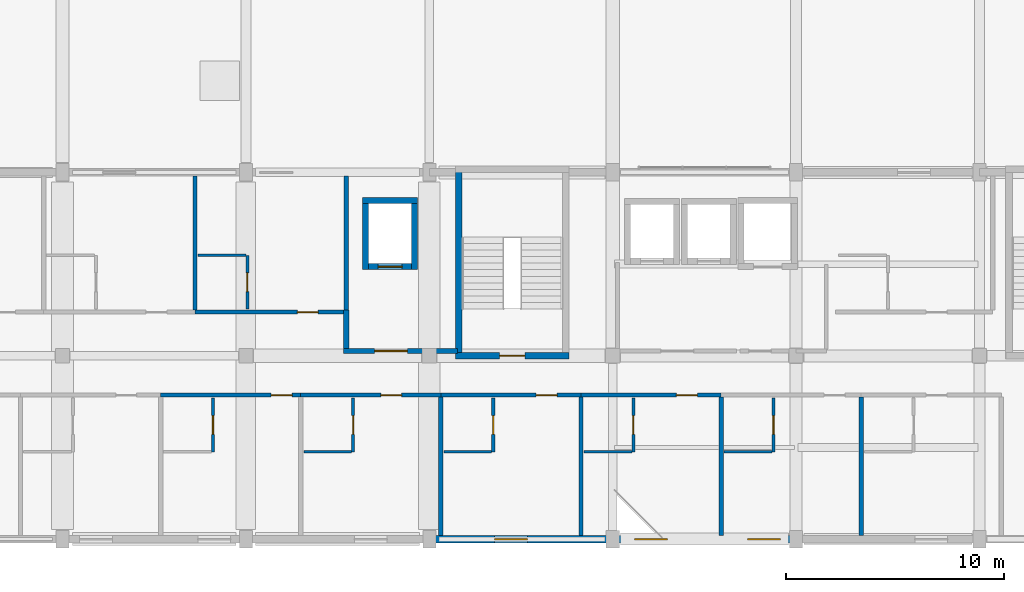
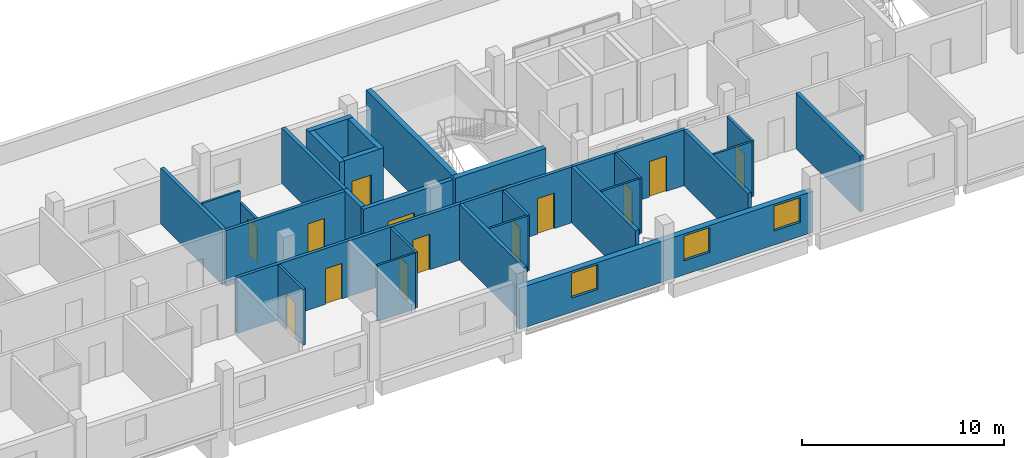
# One storey, part 32 of 42: 31 walls, 14 doors, 3 windows, 17 openings.
"""IFC4 building model written with IfcOpenShell, lengths in metres."""

import ifcopenshell
import ifcopenshell.guid

model = None  # the IFC model being written
_history = None  # IfcOwnerHistory: only IFC2X3 demands one
_inside = {}  # id of a spatial element -> (the spatial element, [elements in it])
_under = {}  # id of a project, library or spatial element -> (it, [spatial elements below it])
_declared = {}  # id of a project -> (the project, [libraries it declares])
_typed = {}  # id of a type object -> (the type object, [elements of that type])
_made_of = {}  # id of a material, layer set ... -> (it, [elements and type objects made of it])


def new_model(schema):
    """Start an empty IFC model of exactly this schema.

    Asked for "IFC4X3", IfcOpenShell would pick the latest addendum, in which some entities
    have other attributes; the version numbers below select the first issue.
    IFC2X3 requires an IfcOwnerHistory on every rooted entity: one is made here for all.
    """
    global model, _history
    if schema == "IFC4X3":
        model = ifcopenshell.file(schema_version=(4, 3, 0, 0))
    else:
        model = ifcopenshell.file(schema=schema)
    _inside.clear()
    _under.clear()
    _declared.clear()
    _typed.clear()
    _made_of.clear()
    _history = None
    if model.schema == "IFC2X3":
        org = make("IfcOrganization", Name="unknown")
        user = make(
            "IfcPersonAndOrganization",
            ThePerson=make("IfcPerson", FamilyName="unknown"),
            TheOrganization=org,
        )
        app = make(
            "IfcApplication",
            ApplicationDeveloper=org,
            Version="unknown",
            ApplicationFullName="unknown",
            ApplicationIdentifier="unknown",
        )
        _history = make(
            "IfcOwnerHistory",
            OwningUser=user,
            OwningApplication=app,
            ChangeAction="ADDED",
            CreationDate=0,
        )
    return model


def make(cls, **values):
    """One entity of the class cls with the attributes given. An attribute that is None is left unset."""
    return model.create_entity(
        cls, **{name: value for name, value in values.items() if value is not None}
    )


def rooted(cls, **values):
    """An entity with a GlobalId (a new one), such as an element, a storey or a relation."""
    return make(cls, GlobalId=ifcopenshell.guid.new(), OwnerHistory=_history, **values)


def si_unit(unit_type, name, prefix=None):
    """IfcSIUnit, for example si_unit("LENGTHUNIT", "METRE", prefix="MILLI")."""
    return make("IfcSIUnit", UnitType=unit_type, Prefix=prefix, Name=name)


def derived_unit(unit_type, elements):
    """IfcDerivedUnit: a product of units, each with its exponent."""
    return make(
        "IfcDerivedUnit",
        Elements=[
            make("IfcDerivedUnitElement", Unit=unit, Exponent=power)
            for unit, power in elements
        ],
        UnitType=unit_type,
    )


def assignment(units):
    """IfcUnitAssignment: the units of a project."""
    return None if units is None else make("IfcUnitAssignment", Units=units)


def point(xyz):
    """IfcCartesianPoint."""
    return None if xyz is None else make("IfcCartesianPoint", Coordinates=xyz)


def direction(xyz):
    """IfcDirection."""
    return None if xyz is None else make("IfcDirection", DirectionRatios=xyz)


def frame(location, z_axis=None, x_axis=None):
    """IfcAxis2Placement3D, a coordinate frame: its origin and axes. An axis left out is left unset."""
    return make(
        "IfcAxis2Placement3D",
        Location=point(location),
        Axis=direction(z_axis),
        RefDirection=direction(x_axis),
    )


def frame_2d(location, x_axis=None):
    """IfcAxis2Placement2D, a coordinate frame in the plane: its origin and x axis."""
    return make(
        "IfcAxis2Placement2D", Location=point(location), RefDirection=direction(x_axis)
    )


def origin():
    """The frame at (0, 0, 0) with its axes left unset."""
    return frame((0.0, 0.0, 0.0))


def place(relative_to, where):
    """IfcLocalPlacement: puts the frame where relative to a parent placement (None: the world)."""
    return make(
        "IfcLocalPlacement", PlacementRelTo=relative_to, RelativePlacement=where
    )


def context(
    kind, dimensions, precision=None, world=None, true_north=None, identifier=None
):
    """IfcGeometricRepresentationContext, for example the 3D "Model" context."""
    return make(
        "IfcGeometricRepresentationContext",
        ContextIdentifier=identifier,
        ContextType=kind,
        CoordinateSpaceDimension=dimensions,
        Precision=precision,
        WorldCoordinateSystem=world,
        TrueNorth=true_north,
    )


def subcontext(parent, identifier, kind, view, scale=None):
    """IfcGeometricRepresentationSubContext, for example "Body" below "Model"."""
    return make(
        "IfcGeometricRepresentationSubContext",
        ContextIdentifier=identifier,
        ContextType=kind,
        ParentContext=parent,
        TargetScale=scale,
        TargetView=view,
    )


def project(units=None, contexts=None):
    """IfcProject with its units and contexts."""
    return rooted(
        "IfcProject",
        Name="project",
        RepresentationContexts=contexts,
        UnitsInContext=assignment(units),
    )


def spatial(cls, under=None, at=None, **own):
    """A site, building, storey or space (cls), placed at a placement, below another one or the project."""
    s = rooted(cls, ObjectPlacement=at, **own)
    if under is not None:
        _under.setdefault(under.id(), (under, []))[1].append(s)
    return s


def profile(cls, at=None, kind="AREA", **sizes):
    """A parametric profile (cls). Its sizes go by their IFC names, for example OverallWidth=200.0."""
    return make(cls, ProfileType=kind, Position=at, **sizes)


def rectangle(**sizes):
    """IfcRectangleProfileDef."""
    return profile("IfcRectangleProfileDef", **sizes)


def extrude(swept, where, along, depth):
    """IfcExtrudedAreaSolid: the profile swept, set in the frame where, extruded along a direction by depth."""
    return make(
        "IfcExtrudedAreaSolid",
        SweptArea=swept,
        Position=where,
        ExtrudedDirection=direction(along),
        Depth=depth,
    )


def shape(context_of_items, identifier, shape_type, items):
    """IfcShapeRepresentation: the items that make up one representation, for example the "Body"."""
    return make(
        "IfcShapeRepresentation",
        ContextOfItems=context_of_items,
        RepresentationIdentifier=identifier,
        RepresentationType=shape_type,
        Items=items,
    )


def material(Name=None, Category=None):
    """IfcMaterial."""
    return make("IfcMaterial", Name=Name, Category=Category)


def layer(
    of_material, thickness, ventilated=None, Name=None, Category=None, Priority=None
):
    """IfcMaterialLayer: one layer of a wall or slab, of a material (None: an air gap)."""
    return make(
        "IfcMaterialLayer",
        Material=of_material,
        LayerThickness=thickness,
        IsVentilated=ventilated,
        Name=Name,
        Category=Category,
        Priority=Priority,
    )


def layer_set(layers, Name=None):
    """IfcMaterialLayerSet."""
    return make("IfcMaterialLayerSet", MaterialLayers=layers, LayerSetName=Name)


def made_of(thing, what):
    """Note that an element or type object is made of a material, layer set ...; save() writes the relation."""
    if what is not None:
        _made_of.setdefault(what.id(), (what, []))[1].append(thing)
    return thing


def type_object(cls, material=None, **own):
    """A type object (cls), such as IfcWallType, which elements share."""
    return made_of(rooted(cls, **own), material)


def element(
    cls,
    number,
    at=None,
    inside=None,
    cuts=None,
    type_object=None,
    material=None,
    context=None,
    identifier="Body",
    shape_type=None,
    held_by="IfcProductDefinitionShape",
    body=None,
    shapes=None,
    **own,
):
    """One element of the class cls, such as IfcWall. Its Tag is "e" and its number.

    at: its placement. inside: the storey or other place that contains it. cuts: it is an
    opening in that element (IfcRelVoidsElement). A single representation is given by context,
    identifier, shape_type and body (its items); several are given by shapes. held_by: the class
    of the entity that holds the representations. save() writes the other relations.
    """
    e = rooted(cls, Tag="e%d" % number, ObjectPlacement=at, **own)
    if body is not None:
        shapes = [shape(context, identifier, shape_type, body)]
    if shapes is not None:
        e.Representation = make(held_by, Representations=shapes)
    if inside is not None:
        _inside.setdefault(inside.id(), (inside, []))[1].append(e)
    if cuts is not None:
        rooted(
            "IfcRelVoidsElement", RelatingBuildingElement=cuts, RelatedOpeningElement=e
        )
    if type_object is not None:
        _typed.setdefault(type_object.id(), (type_object, []))[1].append(e)
    return made_of(e, material)


def fill(opening, filler):
    """IfcRelFillsElement: the door or window that sits in an opening."""
    return rooted(
        "IfcRelFillsElement",
        RelatingOpeningElement=opening,
        RelatedBuildingElement=filler,
    )


def aggregate(whole, parts):
    """IfcRelAggregates: a whole, such as a stair, and the parts it consists of."""
    return rooted("IfcRelAggregates", RelatingObject=whole, RelatedObjects=parts)


def save(model, path):
    """Write the relations noted so far, then the file.

    IfcRelAggregates (storeys below a building ...), IfcRelContainedInSpatialStructure (elements
    in a storey), IfcRelDefinesByType, IfcRelAssociatesMaterial and IfcRelDeclares: one each for
    every whole, place, type object, material and project.
    """
    for whole, parts in _under.values():
        aggregate(whole, parts)
    for where, things in _inside.values():
        rooted(
            "IfcRelContainedInSpatialStructure",
            RelatedElements=things,
            RelatingStructure=where,
        )
    for kind, things in _typed.values():
        rooted("IfcRelDefinesByType", RelatedObjects=things, RelatingType=kind)
    for what, things in _made_of.values():
        rooted("IfcRelAssociatesMaterial", RelatedObjects=things, RelatingMaterial=what)
    for by, libraries in _declared.values():
        rooted("IfcRelDeclares", RelatingContext=by, RelatedDefinitions=libraries)
    model.write(path)


model = new_model("IFC4")

# Units and contexts
model_context = context("Model", 3, precision=1e-05, world=origin(), true_north=direction((0.0, 1.0)))
body_context = subcontext(model_context, "Body", "Model", "MODEL_VIEW")
ifc_project = project(units=[si_unit("LENGTHUNIT", "METRE"), si_unit("AREAUNIT", "SQUARE_METRE"), si_unit("VOLUMEUNIT", "CUBIC_METRE"), si_unit("PLANEANGLEUNIT", "RADIAN"), si_unit("MASSUNIT", "GRAM", prefix="KILO"), derived_unit("THERMALTRANSMITTANCEUNIT", [(si_unit("POWERUNIT", "WATT"), 1), (si_unit("LENGTHUNIT", "METRE"), -2), (si_unit("THERMODYNAMICTEMPERATUREUNIT", "KELVIN"), -1)])], contexts=[model_context])

# Site, building, storey
site_placement = place(None, origin())
site = spatial("IfcSite", under=ifc_project, at=site_placement, CompositionType="ELEMENT")
building_placement = place(site_placement, origin())
building = spatial("IfcBuilding", under=site, at=building_placement, Name="Barrovel Congress Hotel", CompositionType="ELEMENT")
storey_placement = place(building_placement, frame((0.0, 0.0, 18.300048828125)))
storey = spatial("IfcBuildingStorey", under=building, at=storey_placement, Name="L04", CompositionType="ELEMENT", Elevation=18.300048828125)

# Wall, openings, windows
ifc_material_1 = material(Name="Fired Clay Brick Masonry", Category="masonry")
ifc_layer_1 = layer(ifc_material_1, 0.340087890625)
ifc_layer_set_1 = layer_set([ifc_layer_1], Name="Fired Clay Brick Masonry")
wall_type_1 = type_object("IfcWallType", Name="EW-BRK340", PredefinedType="STANDARD", material=ifc_layer_set_1)
wall_1_placement = place(storey_placement, frame((75.60009765625, 4.199951171875, 0.0), z_axis=(0.0, 0.0, 1.0), x_axis=(1.0, 0.0, 0.0)))
wall_1 = element("IfcWall", 1, at=wall_1_placement, inside=storey, type_object=wall_type_1, Name="EW:L04:HS-S:P07", PredefinedType="STANDARD", context=body_context, shape_type="SweptSolid", body=[
    extrude(rectangle(XDim=16.7998046875, YDim=0.340087890625, at=frame_2d((8.39990234375, 0.0))), origin(), (0.0, 0.0, 1.0), 2.47998046875),
])
opening_1_placement = place(wall_1_placement, frame((2.986328125, 0.0, 0.85009765625)))
opening_1 = element("IfcOpeningElement", 2, at=opening_1_placement, cuts=wall_1, Name="Opening WN-07", PredefinedType="OPENING", context=body_context, shape_type="SweptSolid", body=[
    extrude(rectangle(XDim=1.5, YDim=1.5, at=frame_2d((0.75, 0.75))), frame((0.0, 0.18017578125, 0.0), z_axis=(0.0, -1.0, 0.0), x_axis=(1.0, 0.0, 0.0)), (0.0, 0.0, 1.0), 0.360107421875),
])
opening_2_placement = place(wall_1_placement, frame((9.404541015625, 0.0, 0.85009765625)))
opening_2 = element("IfcOpeningElement", 3, at=opening_2_placement, cuts=wall_1, Name="Opening WN-07", PredefinedType="OPENING", context=body_context, shape_type="SweptSolid", body=[
    extrude(rectangle(XDim=1.5, YDim=1.5, at=frame_2d((0.75, 0.75))), frame((0.0, 0.18017578125, 0.0), z_axis=(0.0, -1.0, 0.0), x_axis=(1.0, 0.0, 0.0)), (0.0, 0.0, 1.0), 0.360107421875),
])
opening_3_placement = place(wall_1_placement, frame((14.57275390625, 0.0, 0.85009765625)))
opening_3 = element("IfcOpeningElement", 4, at=opening_3_placement, cuts=wall_1, Name="Opening WN-07", PredefinedType="OPENING", context=body_context, shape_type="SweptSolid", body=[
    extrude(rectangle(XDim=1.5, YDim=1.5, at=frame_2d((0.75, 0.75))), frame((0.0, 0.18017578125, 0.0), z_axis=(0.0, -1.0, 0.0), x_axis=(1.0, 0.0, 0.0)), (0.0, 0.0, 1.0), 0.360107421875),
])
ifc_material_2 = material(Name="Double Low-E Insulated Glazing", Category="glass")
window_type = type_object("IfcWindowType", Name="WIN-WN-07", PartitioningType="SINGLE_PANEL", PredefinedType="WINDOW", material=ifc_material_2)
window_1_placement = place(opening_1_placement, origin())
window_1 = element("IfcWindow", 5, at=window_1_placement, inside=storey, type_object=window_type, Name="WIN:L04:U09", OverallHeight=1.5, OverallWidth=1.5, PartitioningType="SINGLE_PANEL", PredefinedType="WINDOW", context=body_context, shape_type="SweptSolid", body=[
    extrude(rectangle(XDim=1.5, YDim=1.5, at=frame_2d((0.75, 0.75))), frame((0.0, 0.030029296875, 0.0), z_axis=(0.0, -1.0, 0.0), x_axis=(1.0, 0.0, 0.0)), (0.0, 0.0, 1.0), 0.06005859375),
])
fill(opening_1, window_1)
window_2_placement = place(opening_2_placement, origin())
window_2 = element("IfcWindow", 6, at=window_2_placement, inside=storey, type_object=window_type, Name="WIN:L04:U10", OverallHeight=1.5, OverallWidth=1.5, PartitioningType="SINGLE_PANEL", PredefinedType="WINDOW", context=body_context, shape_type="SweptSolid", body=[
    extrude(rectangle(XDim=1.5, YDim=1.5, at=frame_2d((0.75, 0.75))), frame((0.0, 0.030029296875, 0.0), z_axis=(0.0, -1.0, 0.0), x_axis=(1.0, 0.0, 0.0)), (0.0, 0.0, 1.0), 0.06005859375),
])
fill(opening_2, window_2)
window_3_placement = place(opening_3_placement, origin())
window_3 = element("IfcWindow", 7, at=window_3_placement, inside=storey, type_object=window_type, Name="WIN:L04:U11", OverallHeight=1.5, OverallWidth=1.5, PartitioningType="SINGLE_PANEL", PredefinedType="WINDOW", context=body_context, shape_type="SweptSolid", body=[
    extrude(rectangle(XDim=1.5, YDim=1.5, at=frame_2d((0.75, 0.75))), frame((0.0, 0.030029296875, 0.0), z_axis=(0.0, -1.0, 0.0), x_axis=(1.0, 0.0, 0.0)), (0.0, 0.0, 1.0), 0.06005859375),
])
fill(opening_3, window_3)

# Wall, opening, door
ifc_material_3 = material(Name="Gypsum Acoustic Stud", Category="gypsum")
ifc_layer_2 = layer(ifc_material_3, 0.179931640625)
ifc_layer_set_2 = layer_set([ifc_layer_2], Name="Gypsum Acoustic Stud")
wall_type_2 = type_object("IfcWallType", Name="PW-ACU-180", PredefinedType="PARTITIONING", material=ifc_layer_set_2)
wall_2_placement = place(storey_placement, frame((63.291015625, 10.800048828125, 0.0), z_axis=(0.0, 0.0, 1.0), x_axis=(1.0, 0.0, 0.0)))
wall_2 = element("IfcWall", 8, at=wall_2_placement, inside=storey, type_object=wall_type_2, Name="PW:L04:U07:COR", PredefinedType="PARTITIONING", context=body_context, shape_type="SweptSolid", body=[
    extrude(rectangle(XDim=6.41796875, YDim=0.179931640625, at=frame_2d((3.208984375, 0.0))), origin(), (0.0, 0.0, 1.0), 3.375),
])
opening_4_placement = place(wall_2_placement, frame((5.06640625, 0.0, 0.0)))
opening_4 = element("IfcOpeningElement", 9, at=opening_4_placement, cuts=wall_2, Name="Opening ID-HTL", PredefinedType="OPENING", context=body_context, shape_type="SweptSolid", body=[
    extrude(rectangle(XDim=0.9599609375, YDim=2.14990234375, at=frame_2d((0.47998046875, 1.074951171875))), frame((0.0, 0.10009765625, 0.0), z_axis=(0.0, -1.0, 0.0), x_axis=(1.0, 0.0, 0.0)), (0.0, 0.0, 1.0), 0.199951171875),
])
ifc_material_4 = material(Name="Solid Oak Acoustic Timber Door", Category="wood")
door_type_1 = type_object("IfcDoorType", Name="IDR-ID-HTL", OperationType="NOTDEFINED", PredefinedType="DOOR", material=ifc_material_4)
door_1_placement = place(opening_4_placement, origin())
door_1 = element("IfcDoor", 10, at=door_1_placement, inside=storey, type_object=door_type_1, Name="DR:L04:U07:ENT", OperationType="SINGLE_SWING_RIGHT", OverallHeight=2.14990234375, OverallWidth=0.9599609375, PredefinedType="DOOR", context=body_context, shape_type="SweptSolid", body=[
    extrude(rectangle(XDim=0.9599609375, YDim=2.14990234375, at=frame_2d((0.47998046875, 1.074951171875))), frame((0.0, 0.02490234375, 0.0), z_axis=(0.0, -1.0, 0.0), x_axis=(1.0, 0.0, 0.0)), (0.0, 0.0, 1.0), 0.050048828125),
])
fill(opening_4, door_1)

wall_3_placement = place(storey_placement, frame((69.708984375, 10.800048828125, 0.0), z_axis=(0.0, 0.0, 1.0), x_axis=(1.0, 0.0, 0.0)))
wall_3 = element("IfcWall", 11, at=wall_3_placement, inside=storey, type_object=wall_type_2, Name="PW:L04:U08:COR", PredefinedType="PARTITIONING", context=body_context, shape_type="SweptSolid", body=[
    extrude(rectangle(XDim=6.418212890625, YDim=0.179931640625, at=frame_2d((3.208984375, 0.0))), origin(), (0.0, 0.0, 1.0), 3.375),
])
opening_5_placement = place(wall_3_placement, frame((3.666259765625, 0.0, 0.0)))
opening_5 = element("IfcOpeningElement", 12, at=opening_5_placement, cuts=wall_3, Name="Opening ID-HTL", PredefinedType="OPENING", context=body_context, shape_type="SweptSolid", body=[
    extrude(rectangle(XDim=0.9599609375, YDim=2.14990234375, at=frame_2d((0.47998046875, 1.074951171875))), frame((0.0, 0.10009765625, 0.0), z_axis=(0.0, -1.0, 0.0), x_axis=(1.0, 0.0, 0.0)), (0.0, 0.0, 1.0), 0.199951171875),
])
door_2_placement = place(opening_5_placement, origin())
door_2 = element("IfcDoor", 13, at=door_2_placement, inside=storey, type_object=door_type_1, Name="DR:L04:U08:ENT", OperationType="SINGLE_SWING_RIGHT", OverallHeight=2.14990234375, OverallWidth=0.9599609375, PredefinedType="DOOR", context=body_context, shape_type="SweptSolid", body=[
    extrude(rectangle(XDim=0.9599609375, YDim=2.14990234375, at=frame_2d((0.47998046875, 1.074951171875))), frame((0.0, 0.02490234375, 0.0), z_axis=(0.0, -1.0, 0.0), x_axis=(1.0, 0.0, 0.0)), (0.0, 0.0, 1.0), 0.050048828125),
])
fill(opening_5, door_2)

wall_4_placement = place(storey_placement, frame((76.127197265625, 10.800048828125, 0.0), z_axis=(0.0, 0.0, 1.0), x_axis=(1.0, 0.0, 0.0)))
wall_4 = element("IfcWall", 14, at=wall_4_placement, inside=storey, type_object=wall_type_2, Name="PW:L04:U09:COR", PredefinedType="PARTITIONING", context=body_context, shape_type="SweptSolid", body=[
    extrude(rectangle(XDim=6.418212890625, YDim=0.179931640625, at=frame_2d((3.208984375, 0.0))), origin(), (0.0, 0.0, 1.0), 3.375),
])
opening_6_placement = place(wall_4_placement, frame((4.3662109375, 0.0, 0.0)))
opening_6 = element("IfcOpeningElement", 15, at=opening_6_placement, cuts=wall_4, Name="Opening ID-HTL", PredefinedType="OPENING", context=body_context, shape_type="SweptSolid", body=[
    extrude(rectangle(XDim=0.9599609375, YDim=2.14990234375, at=frame_2d((0.47998046875, 1.074951171875))), frame((0.0, 0.10009765625, 0.0), z_axis=(0.0, -1.0, 0.0), x_axis=(1.0, 0.0, 0.0)), (0.0, 0.0, 1.0), 0.199951171875),
])
door_3_placement = place(opening_6_placement, origin())
door_3 = element("IfcDoor", 16, at=door_3_placement, inside=storey, type_object=door_type_1, Name="DR:L04:U09:ENT", OperationType="SINGLE_SWING_RIGHT", OverallHeight=2.14990234375, OverallWidth=0.9599609375, PredefinedType="DOOR", context=body_context, shape_type="SweptSolid", body=[
    extrude(rectangle(XDim=0.9599609375, YDim=2.14990234375, at=frame_2d((0.47998046875, 1.074951171875))), frame((0.0, 0.02490234375, 0.0), z_axis=(0.0, -1.0, 0.0), x_axis=(1.0, 0.0, 0.0)), (0.0, 0.0, 1.0), 0.050048828125),
])
fill(opening_6, door_3)

wall_5_placement = place(storey_placement, frame((82.54541015625, 10.800048828125, 0.0), z_axis=(0.0, 0.0, 1.0), x_axis=(1.0, 0.0, 0.0)))
wall_5 = element("IfcWall", 17, at=wall_5_placement, inside=storey, type_object=wall_type_2, Name="PW:L04:U10:COR", PredefinedType="PARTITIONING", context=body_context, shape_type="SweptSolid", body=[
    extrude(rectangle(XDim=6.418212890625, YDim=0.179931640625, at=frame_2d((3.208984375, 0.0))), origin(), (0.0, 0.0, 1.0), 3.375),
])
opening_7_placement = place(wall_5_placement, frame((4.3662109375, 0.0, 0.0)))
opening_7 = element("IfcOpeningElement", 18, at=opening_7_placement, cuts=wall_5, Name="Opening ID-HTL", PredefinedType="OPENING", context=body_context, shape_type="SweptSolid", body=[
    extrude(rectangle(XDim=0.9599609375, YDim=2.14990234375, at=frame_2d((0.47998046875, 1.074951171875))), frame((0.0, 0.10009765625, 0.0), z_axis=(0.0, -1.0, 0.0), x_axis=(1.0, 0.0, 0.0)), (0.0, 0.0, 1.0), 0.199951171875),
])
door_4_placement = place(opening_7_placement, origin())
door_4 = element("IfcDoor", 19, at=door_4_placement, inside=storey, type_object=door_type_1, Name="DR:L04:U10:ENT", OperationType="SINGLE_SWING_RIGHT", OverallHeight=2.14990234375, OverallWidth=0.9599609375, PredefinedType="DOOR", context=body_context, shape_type="SweptSolid", body=[
    extrude(rectangle(XDim=0.9599609375, YDim=2.14990234375, at=frame_2d((0.47998046875, 1.074951171875))), frame((0.0, 0.02490234375, 0.0), z_axis=(0.0, -1.0, 0.0), x_axis=(1.0, 0.0, 0.0)), (0.0, 0.0, 1.0), 0.050048828125),
])
fill(opening_7, door_4)

wall_6_placement = place(storey_placement, frame((64.86669921875, 14.60009765625, 0.0), z_axis=(0.0, 0.0, 1.0), x_axis=(1.0, 0.0, 0.0)))
wall_6 = element("IfcWall", 20, at=wall_6_placement, inside=storey, type_object=wall_type_2, Name="PW:L04:U23:COR", PredefinedType="PARTITIONING", context=body_context, shape_type="SweptSolid", body=[
    extrude(rectangle(XDim=6.933349609375, YDim=0.179931640625, at=frame_2d((3.466796875, 0.0))), origin(), (0.0, 0.0, 1.0), 3.375),
])
opening_8_placement = place(wall_6_placement, frame((4.685546875, 0.0, 0.0)))
opening_8 = element("IfcOpeningElement", 21, at=opening_8_placement, cuts=wall_6, Name="Opening ID-HTL", PredefinedType="OPENING", context=body_context, shape_type="SweptSolid", body=[
    extrude(rectangle(XDim=0.9599609375, YDim=2.14990234375, at=frame_2d((0.47998046875, 1.074951171875))), frame((0.0, 0.10009765625, 0.0), z_axis=(0.0, -1.0, 0.0), x_axis=(1.0, 0.0, 0.0)), (0.0, 0.0, 1.0), 0.199951171875),
])
door_5_placement = place(opening_8_placement, origin())
door_5 = element("IfcDoor", 22, at=door_5_placement, inside=storey, type_object=door_type_1, Name="DR:L04:U23:ENT", OperationType="SINGLE_SWING_RIGHT", OverallHeight=2.14990234375, OverallWidth=0.9599609375, PredefinedType="DOOR", context=body_context, shape_type="SweptSolid", body=[
    extrude(rectangle(XDim=0.9599609375, YDim=2.14990234375, at=frame_2d((0.47998046875, 1.074951171875))), frame((0.0, 0.02490234375, 0.0), z_axis=(0.0, -1.0, 0.0), x_axis=(1.0, 0.0, 0.0)), (0.0, 0.0, 1.0), 0.050048828125),
])
fill(opening_8, door_5)

# Walls
ifc_layer_3 = layer(ifc_material_3, 0.1201171875)
ifc_layer_set_3 = layer_set([ifc_layer_3], Name="Gypsum Acoustic Stud")
wall_type_3 = type_object("IfcWallType", Name="PW-INT-120", PredefinedType="PARTITIONING", material=ifc_layer_set_3)
for number, where, z_axis, x_axis, name in (
    (23, (69.84912109375, 8.199951171875, 0.0), (0.0, 0.0, 1.0), (1.0, 0.0, 0.0), "PW:L04:U08:B2"),
    (24, (76.267333984375, 8.199951171875, 0.0), (0.0, 0.0, 1.0), (1.0, 0.0, 0.0), "PW:L04:U09:B2"),
    (25, (82.685546875, 8.199951171875, 0.0), (0.0, 0.0, 1.0), (1.0, 0.0, 0.0), "PW:L04:U10:B2"),
):
    element("IfcWall", number, at=place(storey_placement, frame(where, z_axis=z_axis, x_axis=x_axis)), inside=storey, type_object=wall_type_3, Name=name, PredefinedType="PARTITIONING", context=body_context, shape_type="SweptSolid", body=[
        extrude(rectangle(XDim=2.18994140625, YDim=0.1201171875, at=frame_2d((1.094970703125, 0.0))), origin(), (0.0, 0.0, 1.0), 3.375),
    ])
for number, where, z_axis, x_axis, name in (
    (26, (89.103515625, 8.199951171875, 0.0), (0.0, 0.0, 1.0), (1.0, 0.0, 0.0), "PW:L04:U11:B2"),
    (27, (65.006591796875, 17.199951171875, 0.0), (0.0, 0.0, 1.0), (1.0, 0.0, 0.0), "PW:L04:U23:B2"),
):
    element("IfcWall", number, at=place(storey_placement, frame(where, z_axis=z_axis, x_axis=x_axis)), inside=storey, type_object=wall_type_3, Name=name, PredefinedType="PARTITIONING", context=body_context, shape_type="SweptSolid", body=[
        extrude(rectangle(XDim=2.190185546875, YDim=0.1201171875, at=frame_2d((1.09521484375, 0.0))), origin(), (0.0, 0.0, 1.0), 3.375),
    ])
ifc_layer_4 = layer(ifc_material_1, 0.199951171875)
ifc_layer_set_4 = layer_set([ifc_layer_4], Name="Fired Clay Brick Masonry")
wall_type_4 = type_object("IfcWallType", Name="PW-MAS-200", PredefinedType="PARTITIONING", material=ifc_layer_set_4)
for number, where, z_axis, x_axis, name in (
    (28, (76.127197265625, 4.3701171875, 0.0), (0.0, 0.0, 1.0), (0.0, 1.0, 0.0), "PW:L04:U08:DEM"),
    (29, (82.54541015625, 4.3701171875, 0.0), (0.0, 0.0, 1.0), (0.0, 1.0, 0.0), "PW:L04:U09:DEM"),
    (30, (88.963623046875, 4.3701171875, 0.0), (0.0, 0.0, 1.0), (0.0, 1.0, 0.0), "PW:L04:U10:DEM"),
    (31, (95.3818359375, 4.3701171875, 0.0), (0.0, 0.0, 1.0), (0.0, 1.0, 0.0), "PW:L04:U11:DEM"),
):
    element("IfcWall", number, at=place(storey_placement, frame(where, z_axis=z_axis, x_axis=x_axis)), inside=storey, type_object=wall_type_4, Name=name, PredefinedType="PARTITIONING", context=body_context, shape_type="SweptSolid", body=[
        extrude(rectangle(XDim=6.33984375, YDim=0.199951171875, at=frame_2d((3.169921875, 0.0))), origin(), (0.0, 0.0, 1.0), 3.375),
    ])
for number, where, z_axis, x_axis, name in (
    (32, (64.86669921875, 14.68994140625, 0.0), (0.0, 0.0, 1.0), (0.0, 1.0, 0.0), "PW:L04:U22:DEM"),
    (33, (71.800048828125, 14.68994140625, 0.0), (0.0, 0.0, 1.0), (0.0, 1.0, 0.0), "PW:L04:U23:DEM"),
):
    element("IfcWall", number, at=place(storey_placement, frame(where, z_axis=z_axis, x_axis=x_axis)), inside=storey, type_object=wall_type_4, Name=name, PredefinedType="PARTITIONING", context=body_context, shape_type="SweptSolid", body=[
        extrude(rectangle(XDim=6.14013671875, YDim=0.199951171875, at=frame_2d((3.070068359375, 0.0))), origin(), (0.0, 0.0, 1.0), 3.375),
    ])

# Wall, opening, door
ifc_layer_5 = layer(ifc_material_1, 0.239990234375)
ifc_layer_set_5 = layer_set([ifc_layer_5], Name="Fired Clay Brick Masonry")
wall_type_5 = type_object("IfcWallType", Name="PW-MAS-240", PredefinedType="PARTITIONING", material=ifc_layer_set_5)
wall_7_placement = place(storey_placement, frame((71.679931640625, 12.820068359375, 0.0), z_axis=(0.0, 0.0, 1.0), x_axis=(1.0, 0.0, 0.0)))
wall_7 = element("IfcWall", 34, at=wall_7_placement, inside=storey, type_object=wall_type_5, Name="RW:SP:L04:FFL-2:S", PredefinedType="PARTITIONING", context=body_context, shape_type="SweptSolid", body=[
    extrude(rectangle(XDim=5.199951171875, YDim=0.239990234375, at=frame_2d((2.60009765625, 0.0))), origin(), (0.0, 0.0, 1.0), 3.375),
])
opening_9_placement = place(wall_7_placement, frame((1.419921875, 0.0, 0.0)))
opening_9 = element("IfcOpeningElement", 35, at=opening_9_placement, cuts=wall_7, Name="Opening ID-FFL", PredefinedType="OPENING", context=body_context, shape_type="SweptSolid", body=[
    extrude(rectangle(XDim=1.5, YDim=2.14990234375, at=frame_2d((0.75, 1.074951171875))), frame((0.0, 0.1298828125, 0.0), z_axis=(0.0, -1.0, 0.0), x_axis=(1.0, 0.0, 0.0)), (0.0, 0.0, 1.0), 0.260009765625),
])
ifc_material_5 = material(Name="Painted Hollow-Metal Steel Door", Category="steel")
door_type_2 = type_object("IfcDoorType", Name="IDR-ID-FFL", OperationType="NOTDEFINED", PredefinedType="DOOR", material=ifc_material_5)
door_6_placement = place(opening_9_placement, origin())
door_6 = element("IfcDoor", 36, at=door_6_placement, inside=storey, type_object=door_type_2, Name="RD:SP:L04:FFL-2", OperationType="DOUBLE_DOOR_SINGLE_SWING", OverallHeight=2.14990234375, OverallWidth=1.5, PredefinedType="DOOR", context=body_context, shape_type="SweptSolid", body=[
    extrude(rectangle(XDim=1.5, YDim=2.14990234375, at=frame_2d((0.75, 1.074951171875))), frame((0.0, 0.02490234375, 0.0), z_axis=(0.0, -1.0, 0.0), x_axis=(1.0, 0.0, 0.0)), (0.0, 0.0, 1.0), 0.050048828125),
])
fill(opening_9, door_6)

# Wall
wall_8_placement = place(storey_placement, frame((71.800048828125, 12.93994140625, 0.0), z_axis=(0.0, 0.0, 1.0), x_axis=(0.0, 1.0, 0.0)))
element("IfcWall", 37, at=wall_8_placement, inside=storey, type_object=wall_type_5, Name="RW:SP:L04:FFL-2:W", PredefinedType="PARTITIONING", context=body_context, shape_type="SweptSolid", body=[
    extrude(rectangle(XDim=1.75, YDim=0.239990234375, at=frame_2d((0.875, 0.0))), origin(), (0.0, 0.0, 1.0), 3.375),
])

# Wall, opening, door
ifc_material_6 = material(Name="Gypsum Moisture Board", Category="gypsum")
ifc_layer_6 = layer(ifc_material_6, 0.139892578125)
ifc_layer_set_6 = layer_set([ifc_layer_6], Name="Gypsum Moisture Board")
wall_type_6 = type_object("IfcWallType", Name="PW-WET-140", PredefinedType="PARTITIONING", material=ifc_layer_set_6)
wall_9_placement = place(storey_placement, frame((65.69091796875, 8.199951171875, 0.0), z_axis=(0.0, 0.0, 1.0), x_axis=(0.0, 1.0, 0.0)))
wall_9 = element("IfcWall", 38, at=wall_9_placement, inside=storey, type_object=wall_type_6, Name="PW:L04:U07:B1", PredefinedType="PARTITIONING", context=body_context, shape_type="SweptSolid", body=[
    extrude(rectangle(XDim=2.4599609375, YDim=0.139892578125, at=frame_2d((1.22998046875, 0.0))), origin(), (0.0, 0.0, 1.0), 3.375),
])
opening_10_placement = place(wall_9_placement, frame((0.800048828125, 0.0, 0.0)))
opening_10 = element("IfcOpeningElement", 39, at=opening_10_placement, cuts=wall_9, Name="Opening ID-ENS", PredefinedType="OPENING", context=body_context, shape_type="SweptSolid", body=[
    extrude(rectangle(XDim=0.860107421875, YDim=2.10009765625, at=frame_2d((0.43017578125, 1.050048828125))), frame((0.0, 0.080078125, 0.0), z_axis=(0.0, -1.0, 0.0), x_axis=(1.0, 0.0, 0.0)), (0.0, 0.0, 1.0), 0.159912109375),
])
ifc_material_7 = material(Name="Lacquered Timber Moisture Door", Category="wood")
door_type_3 = type_object("IfcDoorType", Name="IDR-ID-ENS", OperationType="NOTDEFINED", PredefinedType="DOOR", material=ifc_material_7)
door_7_placement = place(opening_10_placement, origin())
door_7 = element("IfcDoor", 40, at=door_7_placement, inside=storey, type_object=door_type_3, Name="DR:L04:U07:ENS", OperationType="SINGLE_SWING_LEFT", OverallHeight=2.10009765625, OverallWidth=0.860107421875, PredefinedType="DOOR", context=body_context, shape_type="SweptSolid", body=[
    extrude(rectangle(XDim=0.860107421875, YDim=2.10009765625, at=frame_2d((0.43017578125, 1.050048828125))), frame((0.0, 0.02490234375, 0.0), z_axis=(0.0, -1.0, 0.0), x_axis=(1.0, 0.0, 0.0)), (0.0, 0.0, 1.0), 0.050048828125),
])
fill(opening_10, door_7)

wall_10_placement = place(storey_placement, frame((72.109130859375, 8.199951171875, 0.0), z_axis=(0.0, 0.0, 1.0), x_axis=(0.0, 1.0, 0.0)))
wall_10 = element("IfcWall", 41, at=wall_10_placement, inside=storey, type_object=wall_type_6, Name="PW:L04:U08:B1", PredefinedType="PARTITIONING", context=body_context, shape_type="SweptSolid", body=[
    extrude(rectangle(XDim=2.4599609375, YDim=0.139892578125, at=frame_2d((1.22998046875, 0.0))), origin(), (0.0, 0.0, 1.0), 3.375),
])
opening_11_placement = place(wall_10_placement, frame((0.800048828125, 0.0, 0.0)))
opening_11 = element("IfcOpeningElement", 42, at=opening_11_placement, cuts=wall_10, Name="Opening ID-ENS", PredefinedType="OPENING", context=body_context, shape_type="SweptSolid", body=[
    extrude(rectangle(XDim=0.860107421875, YDim=2.10009765625, at=frame_2d((0.43017578125, 1.050048828125))), frame((0.0, 0.080078125, 0.0), z_axis=(0.0, -1.0, 0.0), x_axis=(1.0, 0.0, 0.0)), (0.0, 0.0, 1.0), 0.159912109375),
])
door_8_placement = place(opening_11_placement, origin())
door_8 = element("IfcDoor", 43, at=door_8_placement, inside=storey, type_object=door_type_3, Name="DR:L04:U08:ENS", OperationType="SINGLE_SWING_LEFT", OverallHeight=2.10009765625, OverallWidth=0.860107421875, PredefinedType="DOOR", context=body_context, shape_type="SweptSolid", body=[
    extrude(rectangle(XDim=0.860107421875, YDim=2.10009765625, at=frame_2d((0.43017578125, 1.050048828125))), frame((0.0, 0.02490234375, 0.0), z_axis=(0.0, -1.0, 0.0), x_axis=(1.0, 0.0, 0.0)), (0.0, 0.0, 1.0), 0.050048828125),
])
fill(opening_11, door_8)

wall_11_placement = place(storey_placement, frame((78.52734375, 8.199951171875, 0.0), z_axis=(0.0, 0.0, 1.0), x_axis=(0.0, 1.0, 0.0)))
wall_11 = element("IfcWall", 44, at=wall_11_placement, inside=storey, type_object=wall_type_6, Name="PW:L04:U09:B1", PredefinedType="PARTITIONING", context=body_context, shape_type="SweptSolid", body=[
    extrude(rectangle(XDim=2.4599609375, YDim=0.139892578125, at=frame_2d((1.22998046875, 0.0))), origin(), (0.0, 0.0, 1.0), 3.375),
])
opening_12_placement = place(wall_11_placement, frame((0.800048828125, 0.0, 0.0)))
opening_12 = element("IfcOpeningElement", 45, at=opening_12_placement, cuts=wall_11, Name="Opening ID-ENS", PredefinedType="OPENING", context=body_context, shape_type="SweptSolid", body=[
    extrude(rectangle(XDim=0.860107421875, YDim=2.10009765625, at=frame_2d((0.43017578125, 1.050048828125))), frame((0.0, 0.080078125, 0.0), z_axis=(0.0, -1.0, 0.0), x_axis=(1.0, 0.0, 0.0)), (0.0, 0.0, 1.0), 0.159912109375),
])
door_9_placement = place(opening_12_placement, origin())
door_9 = element("IfcDoor", 46, at=door_9_placement, inside=storey, type_object=door_type_3, Name="DR:L04:U09:ENS", OperationType="SINGLE_SWING_LEFT", OverallHeight=2.10009765625, OverallWidth=0.860107421875, PredefinedType="DOOR", context=body_context, shape_type="SweptSolid", body=[
    extrude(rectangle(XDim=0.860107421875, YDim=2.10009765625, at=frame_2d((0.43017578125, 1.050048828125))), frame((0.0, 0.02490234375, 0.0), z_axis=(0.0, -1.0, 0.0), x_axis=(1.0, 0.0, 0.0)), (0.0, 0.0, 1.0), 0.050048828125),
])
fill(opening_12, door_9)

wall_12_placement = place(storey_placement, frame((84.945556640625, 8.199951171875, 0.0), z_axis=(0.0, 0.0, 1.0), x_axis=(0.0, 1.0, 0.0)))
wall_12 = element("IfcWall", 47, at=wall_12_placement, inside=storey, type_object=wall_type_6, Name="PW:L04:U10:B1", PredefinedType="PARTITIONING", context=body_context, shape_type="SweptSolid", body=[
    extrude(rectangle(XDim=2.4599609375, YDim=0.139892578125, at=frame_2d((1.22998046875, 0.0))), origin(), (0.0, 0.0, 1.0), 3.375),
])
opening_13_placement = place(wall_12_placement, frame((0.800048828125, 0.0, 0.0)))
opening_13 = element("IfcOpeningElement", 48, at=opening_13_placement, cuts=wall_12, Name="Opening ID-ENS", PredefinedType="OPENING", context=body_context, shape_type="SweptSolid", body=[
    extrude(rectangle(XDim=0.860107421875, YDim=2.10009765625, at=frame_2d((0.43017578125, 1.050048828125))), frame((0.0, 0.080078125, 0.0), z_axis=(0.0, -1.0, 0.0), x_axis=(1.0, 0.0, 0.0)), (0.0, 0.0, 1.0), 0.159912109375),
])
door_10_placement = place(opening_13_placement, origin())
door_10 = element("IfcDoor", 49, at=door_10_placement, inside=storey, type_object=door_type_3, Name="DR:L04:U10:ENS", OperationType="SINGLE_SWING_LEFT", OverallHeight=2.10009765625, OverallWidth=0.860107421875, PredefinedType="DOOR", context=body_context, shape_type="SweptSolid", body=[
    extrude(rectangle(XDim=0.860107421875, YDim=2.10009765625, at=frame_2d((0.43017578125, 1.050048828125))), frame((0.0, 0.02490234375, 0.0), z_axis=(0.0, -1.0, 0.0), x_axis=(1.0, 0.0, 0.0)), (0.0, 0.0, 1.0), 0.050048828125),
])
fill(opening_13, door_10)

wall_13_placement = place(storey_placement, frame((91.363525390625, 8.199951171875, 0.0), z_axis=(0.0, 0.0, 1.0), x_axis=(0.0, 1.0, 0.0)))
wall_13 = element("IfcWall", 50, at=wall_13_placement, inside=storey, type_object=wall_type_6, Name="PW:L04:U11:B1", PredefinedType="PARTITIONING", context=body_context, shape_type="SweptSolid", body=[
    extrude(rectangle(XDim=2.4599609375, YDim=0.139892578125, at=frame_2d((1.22998046875, 0.0))), origin(), (0.0, 0.0, 1.0), 3.375),
])
opening_14_placement = place(wall_13_placement, frame((0.800048828125, 0.0, 0.0)))
opening_14 = element("IfcOpeningElement", 51, at=opening_14_placement, cuts=wall_13, Name="Opening ID-ENS", PredefinedType="OPENING", context=body_context, shape_type="SweptSolid", body=[
    extrude(rectangle(XDim=0.860107421875, YDim=2.10009765625, at=frame_2d((0.43017578125, 1.050048828125))), frame((0.0, 0.080078125, 0.0), z_axis=(0.0, -1.0, 0.0), x_axis=(1.0, 0.0, 0.0)), (0.0, 0.0, 1.0), 0.159912109375),
])
door_11_placement = place(opening_14_placement, origin())
door_11 = element("IfcDoor", 52, at=door_11_placement, inside=storey, type_object=door_type_3, Name="DR:L04:U11:ENS", OperationType="SINGLE_SWING_LEFT", OverallHeight=2.10009765625, OverallWidth=0.860107421875, PredefinedType="DOOR", context=body_context, shape_type="SweptSolid", body=[
    extrude(rectangle(XDim=0.860107421875, YDim=2.10009765625, at=frame_2d((0.43017578125, 1.050048828125))), frame((0.0, 0.02490234375, 0.0), z_axis=(0.0, -1.0, 0.0), x_axis=(1.0, 0.0, 0.0)), (0.0, 0.0, 1.0), 0.050048828125),
])
fill(opening_14, door_11)

wall_14_placement = place(storey_placement, frame((67.2666015625, 14.739990234375, 0.0), z_axis=(0.0, 0.0, 1.0), x_axis=(0.0, 1.0, 0.0)))
wall_14 = element("IfcWall", 53, at=wall_14_placement, inside=storey, type_object=wall_type_6, Name="PW:L04:U23:B1", PredefinedType="PARTITIONING", context=body_context, shape_type="SweptSolid", body=[
    extrude(rectangle(XDim=2.4599609375, YDim=0.139892578125, at=frame_2d((1.22998046875, 0.0))), origin(), (0.0, 0.0, 1.0), 2.6298828125),
])
opening_15_placement = place(wall_14_placement, frame((0.800048828125, 0.0, 0.0)))
opening_15 = element("IfcOpeningElement", 54, at=opening_15_placement, cuts=wall_14, Name="Opening ID-ENS", PredefinedType="OPENING", context=body_context, shape_type="SweptSolid", body=[
    extrude(rectangle(XDim=0.860107421875, YDim=2.10009765625, at=frame_2d((0.43017578125, 1.050048828125))), frame((0.0, 0.080078125, 0.0), z_axis=(0.0, -1.0, 0.0), x_axis=(1.0, 0.0, 0.0)), (0.0, 0.0, 1.0), 0.159912109375),
])
door_12_placement = place(opening_15_placement, origin())
door_12 = element("IfcDoor", 55, at=door_12_placement, inside=storey, type_object=door_type_3, Name="DR:L04:U23:ENS", OperationType="SINGLE_SWING_LEFT", OverallHeight=2.10009765625, OverallWidth=0.860107421875, PredefinedType="DOOR", context=body_context, shape_type="SweptSolid", body=[
    extrude(rectangle(XDim=0.860107421875, YDim=2.10009765625, at=frame_2d((0.43017578125, 1.050048828125))), frame((0.0, 0.02490234375, 0.0), z_axis=(0.0, -1.0, 0.0), x_axis=(1.0, 0.0, 0.0)), (0.0, 0.0, 1.0), 0.050048828125),
])
fill(opening_15, door_12)

ifc_material_8 = material(Name="Concrete C40", Category="concrete")
ifc_layer_7 = layer(ifc_material_8, 0.280029296875)
ifc_layer_set_7 = layer_set([ifc_layer_7], Name="Concrete C40")
wall_type_7 = type_object("IfcWallType", Name="SW-C40-280", PredefinedType="SHEAR", material=ifc_layer_set_7)
wall_15_placement = place(storey_placement, frame((72.5400390625, 16.679931640625, 0.0), z_axis=(0.0, 0.0, 1.0), x_axis=(1.0, 0.0, 0.0)))
wall_15 = element("IfcWall", 56, at=wall_15_placement, inside=storey, type_object=wall_type_7, Name="LSH:FL-2:L04:S", PredefinedType="SHEAR", context=body_context, shape_type="SweptSolid", body=[
    extrude(rectangle(XDim=2.52001953125, YDim=0.280029296875, at=frame_2d((1.260009765625, 0.0))), origin(), (0.0, 0.0, 1.0), 3.599853515625),
])
opening_16_placement = place(wall_15_placement, frame((0.7099609375, 0.0, 0.0)))
opening_16 = element("IfcOpeningElement", 57, at=opening_16_placement, cuts=wall_15, Name="Opening LD-FF", PredefinedType="OPENING", context=body_context, shape_type="SweptSolid", body=[
    extrude(rectangle(XDim=1.10009765625, YDim=2.199951171875, at=frame_2d((0.550048828125, 1.10009765625))), frame((0.0, 0.14990234375, 0.0), z_axis=(0.0, -1.0, 0.0), x_axis=(1.0, 0.0, 0.0)), (0.0, 0.0, 1.0), 0.300048828125),
])
ifc_material_9 = material(Name="Brushed Stainless Steel", Category="steel")
door_type_4 = type_object("IfcDoorType", Name="IDR-LD-FF", OperationType="NOTDEFINED", PredefinedType="DOOR", material=ifc_material_9)
door_13_placement = place(opening_16_placement, origin())
door_13 = element("IfcDoor", 58, at=door_13_placement, inside=storey, type_object=door_type_4, Name="Lift Landing Door LD-FL-2-L04", OperationType="SLIDING_TO_LEFT", OverallHeight=2.199951171875, OverallWidth=1.10009765625, PredefinedType="DOOR", context=body_context, shape_type="SweptSolid", body=[
    extrude(rectangle(XDim=1.10009765625, YDim=2.199951171875, at=frame_2d((0.550048828125, 1.10009765625))), frame((0.0, 0.02490234375, 0.0), z_axis=(0.0, -1.0, 0.0), x_axis=(1.0, 0.0, 0.0)), (0.0, 0.0, 1.0), 0.050048828125),
])
fill(opening_16, door_13)

# Walls
wall_16_placement = place(storey_placement, frame((74.919921875, 16.5400390625, 0.0), z_axis=(0.0, 0.0, 1.0), x_axis=(0.0, 1.0, 0.0)))
element("IfcWall", 59, at=wall_16_placement, inside=storey, type_object=wall_type_7, Name="LSH:FL-2:L04:E", PredefinedType="SHEAR", context=body_context, shape_type="SweptSolid", body=[
    extrude(rectangle(XDim=3.320068359375, YDim=0.280029296875, at=frame_2d((1.66015625, 0.0))), origin(), (0.0, 0.0, 1.0), 3.599853515625),
])
wall_17_placement = place(storey_placement, frame((75.06005859375, 19.719970703125, 0.0), z_axis=(0.0, 0.0, 1.0), x_axis=(-1.0, 0.0, 0.0)))
element("IfcWall", 60, at=wall_17_placement, inside=storey, type_object=wall_type_7, Name="LSH:FL-2:L04:N", PredefinedType="SHEAR", context=body_context, shape_type="SweptSolid", body=[
    extrude(rectangle(XDim=2.52001953125, YDim=0.280029296875, at=frame_2d((1.260009765625, 0.0))), origin(), (0.0, 0.0, 1.0), 3.599853515625),
])
wall_18_placement = place(storey_placement, frame((72.679931640625, 19.860107421875, 0.0), z_axis=(0.0, 0.0, 1.0), x_axis=(0.0, -1.0, 0.0)))
element("IfcWall", 61, at=wall_18_placement, inside=storey, type_object=wall_type_7, Name="LSH:FL-2:L04:W", PredefinedType="SHEAR", context=body_context, shape_type="SweptSolid", body=[
    extrude(rectangle(XDim=3.320068359375, YDim=0.280029296875, at=frame_2d((1.66015625, 0.0))), origin(), (0.0, 0.0, 1.0), 3.599853515625),
])

# Wall, opening, door
ifc_layer_8 = layer(ifc_material_8, 0.300048828125)
ifc_layer_set_8 = layer_set([ifc_layer_8], Name="Concrete C40")
wall_type_8 = type_object("IfcWallType", Name="SW-C40-300", PredefinedType="SHEAR", material=ifc_layer_set_8)
wall_19_placement = place(storey_placement, frame((76.800048828125, 12.610107421875, 0.0), z_axis=(0.0, 0.0, 1.0), x_axis=(1.0, 0.0, 0.0)))
wall_19 = element("IfcWall", 62, at=wall_19_placement, inside=storey, type_object=wall_type_8, Name="SHW:XS-02:L04:S", PredefinedType="SHEAR", context=body_context, shape_type="SweptSolid", body=[
    extrude(rectangle(XDim=5.199951171875, YDim=0.300048828125, at=frame_2d((2.60009765625, 0.0))), origin(), (0.0, 0.0, 1.0), 3.599853515625),
])
opening_17_placement = place(wall_19_placement, frame((2.02490234375, 0.0, 0.0)))
opening_17 = element("IfcOpeningElement", 63, at=opening_17_placement, cuts=wall_19, Name="Opening ID-ST1", PredefinedType="OPENING", context=body_context, shape_type="SweptSolid", body=[
    extrude(rectangle(XDim=1.14990234375, YDim=2.14990234375, at=frame_2d((0.574951171875, 1.074951171875))), frame((0.0, 0.16015625, 0.0), z_axis=(0.0, -1.0, 0.0), x_axis=(1.0, 0.0, 0.0)), (0.0, 0.0, 1.0), 0.320068359375),
])
door_type_5 = type_object("IfcDoorType", Name="IDR-ID-ST1", OperationType="NOTDEFINED", PredefinedType="DOOR", material=ifc_material_5)
door_14_placement = place(opening_17_placement, origin())
door_14 = element("IfcDoor", 64, at=door_14_placement, inside=storey, type_object=door_type_5, Name="Stair Core Fire Door XS-02-L04", OperationType="SINGLE_SWING_LEFT", OverallHeight=2.14990234375, OverallWidth=1.14990234375, PredefinedType="DOOR", context=body_context, shape_type="SweptSolid", body=[
    extrude(rectangle(XDim=1.14990234375, YDim=2.14990234375, at=frame_2d((0.574951171875, 1.074951171875))), frame((0.0, 0.02490234375, 0.0), z_axis=(0.0, -1.0, 0.0), x_axis=(1.0, 0.0, 0.0)), (0.0, 0.0, 1.0), 0.050048828125),
])
fill(opening_17, door_14)

# Wall
wall_20_placement = place(storey_placement, frame((76.949951171875, 21.300048828125, 0.0), z_axis=(0.0, 0.0, 1.0), x_axis=(0.0, -1.0, 0.0)))
element("IfcWall", 65, at=wall_20_placement, inside=storey, type_object=wall_type_8, Name="SHW:XS-02:L04:W", PredefinedType="SHEAR", context=body_context, shape_type="SweptSolid", body=[
    extrude(rectangle(XDim=8.840087890625, YDim=0.300048828125, at=frame_2d((4.419921875, 0.0))), origin(), (0.0, 0.0, 1.0), 3.599853515625),
])

save(model, "model.ifc")
